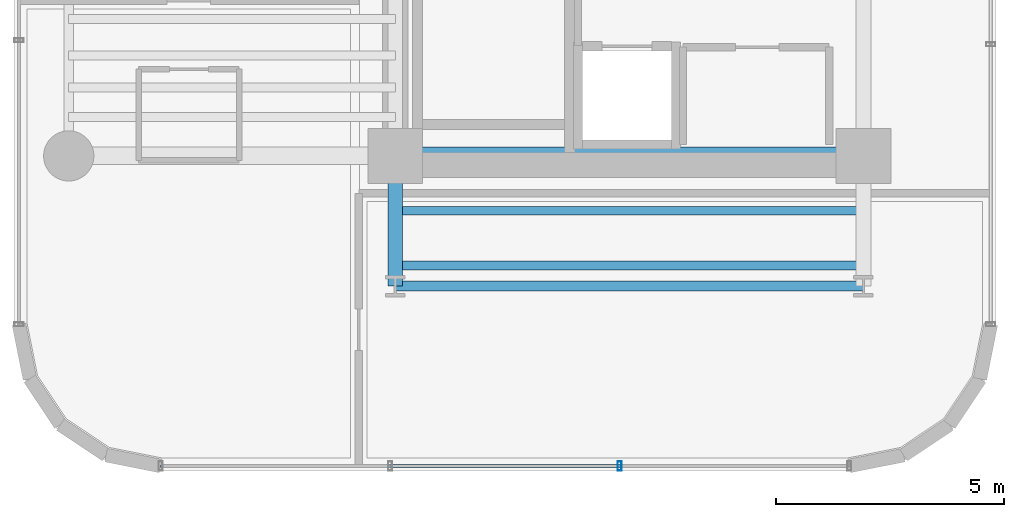
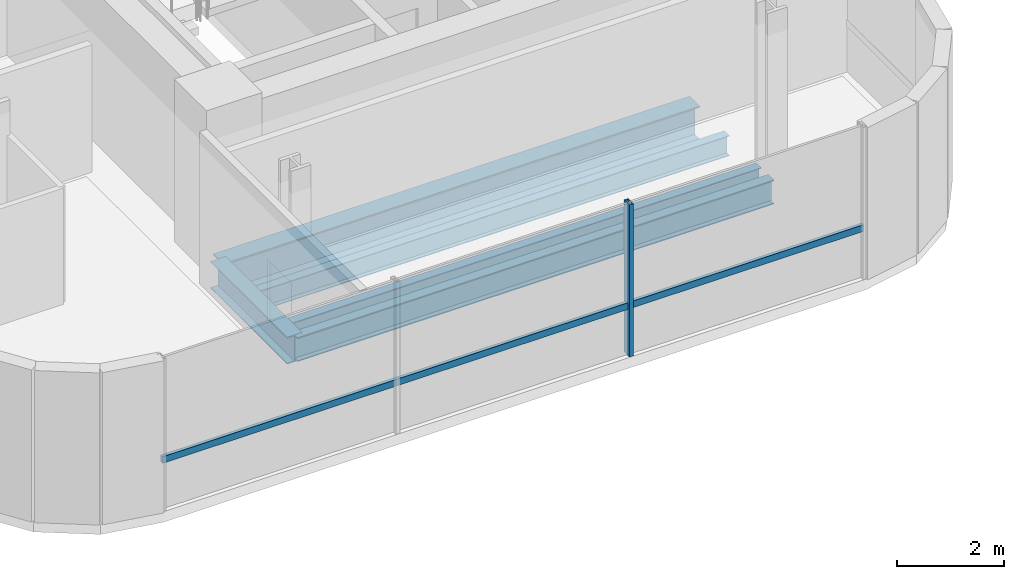
# One storey, part 3 of 33: 5 beams, 2 members, 1 element without a shape of its own.
"""IFC4 building model written with IfcOpenShell, lengths in metres."""

from ifc_helpers import new_model, si_unit, direction, frame, origin, origin_2d, place, context, subcontext, project, spatial, hollow_rectangle, i_section, extrude, source, transform, mapped, material, material_profile, profile_set, type_object, element, aggregate, save


model = new_model("IFC4")

# Units and contexts
model_context = context("Model", 3, precision=1e-05, world=origin(), true_north=direction((0.0, 1.0)))
body_context = subcontext(model_context, "Body", "Model", "MODEL_VIEW")
ifc_project = project(units=[si_unit("LENGTHUNIT", "METRE"), si_unit("AREAUNIT", "SQUARE_METRE"), si_unit("VOLUMEUNIT", "CUBIC_METRE"), si_unit("PLANEANGLEUNIT", "RADIAN"), si_unit("MASSUNIT", "GRAM", prefix="KILO")], contexts=[model_context])

# Site, building, storey
site_placement = place(None, origin())
site = spatial("IfcSite", under=ifc_project, at=site_placement, CompositionType="ELEMENT")
building_placement = place(site_placement, origin())
building = spatial("IfcBuilding", under=site, at=building_placement, Name="Valdorenza Pilgrim Sanctuary Tower", CompositionType="ELEMENT")
storey_placement = place(building_placement, frame((0.0, 0.0, 157.5)))
storey = spatial("IfcBuildingStorey", under=building, at=storey_placement, Name="L40", CompositionType="ELEMENT", Elevation=157.5)

# Beams
ifc_material_1 = material(Name="Steel ASTM A992 Grade 50", Category="steel")
ifc_material_profile_1 = material_profile(ifc_material_1, i_section(OverallWidth=0.214111328125, OverallDepth=0.549072265625, WebThickness=0.0146484375, FlangeThickness=0.023681640625, at=origin_2d()), Name="W21X93")
ifc_profile_set_1 = profile_set([ifc_material_profile_1], Name="Steel ASTM A992 Grade 50")
beam_type_1 = type_object("IfcBeamType", Name="STR-BM-SPN-W21A", PredefinedType="SPANDREL", material=ifc_profile_set_1)
shared_shape_1 = source(origin(), body_context, "Body", "SweptSolid", [
    extrude(i_section(OverallWidth=0.214111328125, OverallDepth=0.549072265625, WebThickness=0.0146484375, FlangeThickness=0.023681640625, at=origin_2d()), origin(), (0.0, 0.0, 1.0), 10.25),
])
beam_1_placement = place(storey_placement, frame((-22.64990234375, -13.449951171875, -0.514404296875), z_axis=(1.0, 0.0, 0.0), x_axis=(0.0, 1.0, 0.0)))
element("IfcBeam", 1, at=beam_1_placement, inside=storey, type_object=beam_type_1, Name="L40 South Spandrel WA-S-TIE", PredefinedType="SPANDREL", context=body_context, shape_type="MappedRepresentation", body=[
    mapped(shared_shape_1, transform((0.0, 0.0, 0.0), x_axis=(1.0, 0.0, 0.0), y_axis=(0.0, 1.0, 0.0), z_axis=(0.0, 0.0, 1.0), scale=1.0)),
])
ifc_material_profile_2 = material_profile(ifc_material_1, i_section(OverallWidth=0.323974609375, OverallDepth=0.611083984375, WebThickness=0.0126953125, FlangeThickness=0.01904296875, at=origin_2d()), Name="W24X104")
ifc_profile_set_2 = profile_set([ifc_material_profile_2], Name="Steel ASTM A992 Grade 50")
beam_type_2 = type_object("IfcBeamType", Name="STR-BM-GRD-W24B", PredefinedType="BEAM", material=ifc_profile_set_2)
shared_shape_2 = source(origin(), body_context, "Body", "SweptSolid", [
    extrude(i_section(OverallWidth=0.323974609375, OverallDepth=0.611083984375, WebThickness=0.0126953125, FlangeThickness=0.01904296875, at=origin_2d()), origin(), (0.0, 0.0, 1.0), 2.849853515625),
])
beam_2_placement = place(storey_placement, frame((-22.64990234375, -13.449951171875, -0.54541015625), z_axis=(0.0, 1.0, 0.0), x_axis=(-1.0, 0.0, 0.0)))
element("IfcBeam", 2, at=beam_2_placement, inside=storey, type_object=beam_type_2, Name="L40 Floor Girder WA-S-LW", PredefinedType="BEAM", context=body_context, shape_type="MappedRepresentation", body=[
    mapped(shared_shape_2, transform((0.0, 0.0, 0.0), x_axis=(1.0, 0.0, 0.0), y_axis=(0.0, 1.0, 0.0), z_axis=(0.0, 0.0, 1.0), scale=1.0)),
])
ifc_material_profile_3 = material_profile(ifc_material_1, i_section(OverallWidth=0.382080078125, OverallDepth=0.779052734375, WebThickness=0.01806640625, FlangeThickness=0.030029296875, at=origin_2d()), Name="W30X191")
ifc_profile_set_3 = profile_set([ifc_material_profile_3], Name="Steel ASTM A992 Grade 50")
beam_type_3 = type_object("IfcBeamType", Name="STR-BM-GRD-W30", PredefinedType="BEAM", material=ifc_profile_set_3)
shared_shape_3 = source(origin(), body_context, "Body", "SweptSolid", [
    extrude(i_section(OverallWidth=0.382080078125, OverallDepth=0.779052734375, WebThickness=0.01806640625, FlangeThickness=0.030029296875, at=origin_2d()), origin(), (0.0, 0.0, 1.0), 10.25),
])
beam_3_placement = place(storey_placement, frame((-22.64990234375, -10.60009765625, -0.62939453125), z_axis=(1.0, 0.0, 0.0), x_axis=(0.0, 1.0, 0.0)))
element("IfcBeam", 3, at=beam_3_placement, inside=storey, type_object=beam_type_3, Name="L40 Floor Girder CA-XC-S1", PredefinedType="BEAM", context=body_context, shape_type="MappedRepresentation", body=[
    mapped(shared_shape_3, transform((0.0, 0.0, 0.0), x_axis=(1.0, 0.0, 0.0), y_axis=(0.0, 1.0, 0.0), z_axis=(0.0, 0.0, 1.0), scale=1.0)),
])
ifc_material_profile_4 = material_profile(ifc_material_1, i_section(OverallWidth=0.19091796875, OverallDepth=0.45703125, WebThickness=0.009033203125, FlangeThickness=0.014404296875, at=origin_2d()), Name="W18X50")
ifc_profile_set_4 = profile_set([ifc_material_profile_4], Name="Steel ASTM A992 Grade 50")
beam_type_4 = type_object("IfcBeamType", Name="STR-BM-JST-W18B", PredefinedType="JOIST", material=ifc_profile_set_4)
shared_shape_4 = source(origin(), body_context, "Body", "SweptSolid", [
    extrude(i_section(OverallWidth=0.19091796875, OverallDepth=0.45703125, WebThickness=0.009033203125, FlangeThickness=0.014404296875, at=origin_2d()), origin(), (0.0, 0.0, 1.0), 10.25),
])
for number, where, z_axis, x_axis, name in (
    (4, (-22.64990234375, -13.0, -0.468505859375), (1.0, 0.0, 0.0), (0.0, 1.0, 0.0), "L40 Composite Floor Joist JST-WAS-1"),
    (5, (-22.64990234375, -11.800048828125, -0.468505859375), (1.0, 0.0, 0.0), (0.0, 1.0, 0.0), "L40 Composite Floor Joist JST-WAS-2"),
):
    element("IfcBeam", number, at=place(storey_placement, frame(where, z_axis=z_axis, x_axis=x_axis)), inside=storey, type_object=beam_type_4, Name=name, PredefinedType="JOIST", context=body_context, shape_type="MappedRepresentation", body=[
        mapped(shared_shape_4, transform((0.0, 0.0, 0.0), x_axis=(1.0, 0.0, 0.0), y_axis=(0.0, 1.0, 0.0), z_axis=(0.0, 0.0, 1.0), scale=1.0)),
    ])

# Curtain wall, members
ifc_material_2 = material(Name="Curtain-wall IGU glazing", Category="glass")
curtain_wall_type = type_object("IfcCurtainWallType", Name="CW-SYS-02", PredefinedType="NOTDEFINED", material=ifc_material_2)
curtain_wall_placement = place(storey_placement, origin())
curtain_wall = element("IfcCurtainWall", 6, at=curtain_wall_placement, inside=storey, type_object=curtain_wall_type, Name="L40 Curtain Wall CW-L40-1-26", PredefinedType="NOTDEFINED")
ifc_material_3 = material(Name="Anodised aluminium AW-6060", Category="aluminium")
ifc_material_profile_5 = material_profile(ifc_material_3, hollow_rectangle(XDim=0.0849609375, YDim=0.199951171875, WallThickness=0.0048828125, at=origin_2d()), Name="ALU-M 200x85x5")
ifc_profile_set_5 = profile_set([ifc_material_profile_5], Name="Anodised aluminium AW-6060")
member_type_1 = type_object("IfcMemberType", Name="CW-MUL-02", PredefinedType="MULLION", material=ifc_profile_set_5)
shared_shape_5 = source(origin(), body_context, "Body", "SweptSolid", [
    extrude(hollow_rectangle(XDim=0.0849609375, YDim=0.199951171875, WallThickness=0.0048828125, at=origin_2d()), origin(), (0.0, 0.0, 1.0), 3.4599609375),
])
member_1_placement = place(storey_placement, frame((-17.73681640625, -17.389892578125, 0.0), z_axis=(0.0, 0.0, 1.0), x_axis=(-1.0, 0.0, 0.0)))
member_1 = element("IfcMember", 7, at=member_1_placement, type_object=member_type_1, Name="CW-L40-1-26 Mullion 2", PredefinedType="MULLION", context=body_context, shape_type="MappedRepresentation", body=[
    mapped(shared_shape_5, transform((0.0, 0.0, 0.0), x_axis=(1.0, 0.0, 0.0), y_axis=(0.0, 1.0, 0.0), z_axis=(0.0, 0.0, 1.0), scale=1.0)),
])
ifc_material_profile_6 = material_profile(ifc_material_3, hollow_rectangle(XDim=0.074951171875, YDim=0.14990234375, WallThickness=0.00390625, at=origin_2d()), Name="ALU-T 150x75x4")
ifc_profile_set_6 = profile_set([ifc_material_profile_6], Name="Anodised aluminium AW-6060")
member_type_2 = type_object("IfcMemberType", Name="CW-TRN-02", PredefinedType="USERDEFINED", material=ifc_profile_set_6)
shared_shape_6 = source(origin(), body_context, "Body", "SweptSolid", [
    extrude(hollow_rectangle(XDim=0.074951171875, YDim=0.14990234375, WallThickness=0.00390625, at=origin_2d()), origin(), (0.0, 0.0, 1.0), 15.07861328125),
])
member_2_placement = place(storey_placement, frame((-12.710693359375, -17.389892578125, 1.1201171875), z_axis=(-1.0, 0.0, 0.0), x_axis=(0.0, -1.0, 0.0)))
member_2 = element("IfcMember", 8, at=member_2_placement, type_object=member_type_2, Name="CW-L40-1-26 Transom 1", ObjectType="TRANSOM", PredefinedType="USERDEFINED", context=body_context, shape_type="MappedRepresentation", body=[
    mapped(shared_shape_6, transform((0.0, 0.0, 0.0), x_axis=(1.0, 0.0, 0.0), y_axis=(0.0, 1.0, 0.0), z_axis=(0.0, 0.0, 1.0), scale=1.0)),
])
aggregate(curtain_wall, [member_1, member_2])

save(model, "model.ifc")
